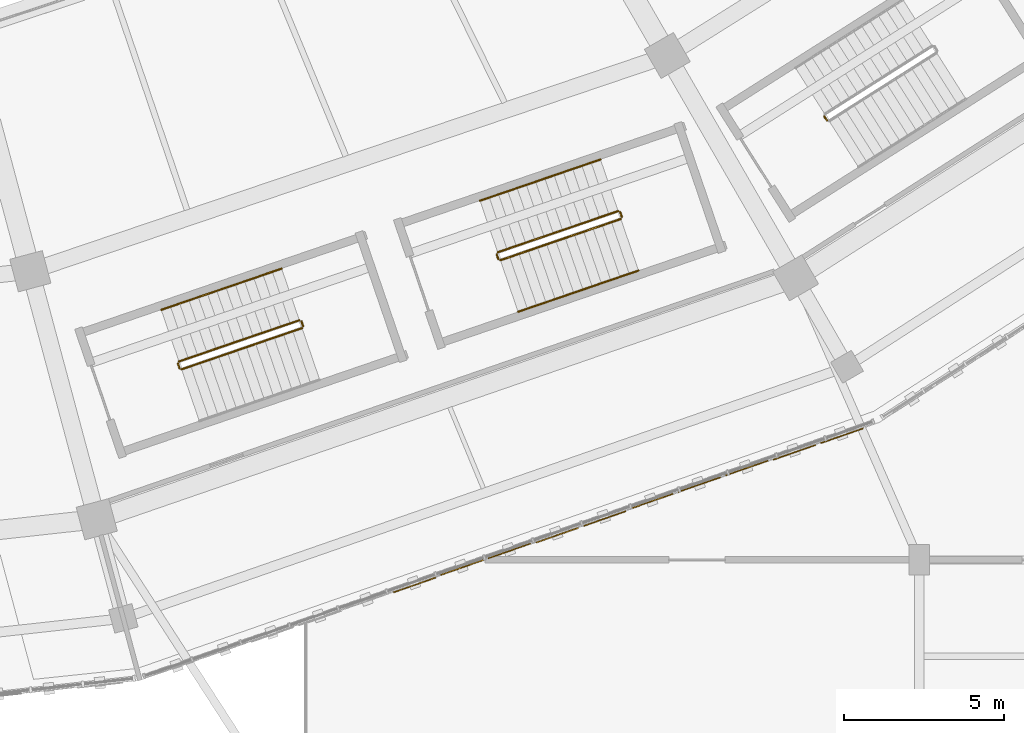
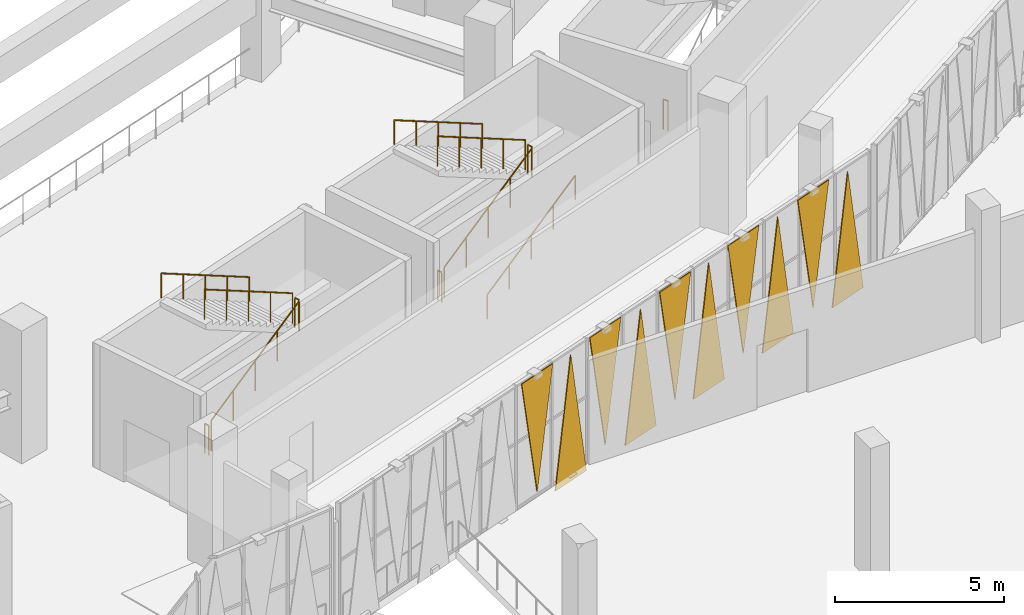
# One storey, part 143 of 179: 12 railings, 10 coverings.
"""IFC4 building model written with IfcOpenShell, lengths in metres."""

from ifc_helpers import new_model, si_unit, direction, frame, origin, origin_2d, place, context, subcontext, project, spatial, polyline, circle, outline, extrude, material, layer, layer_set, type_object, element, save


model = new_model("IFC4")

# Units and contexts
model_context = context("Model", 3, precision=1e-05, world=origin(), true_north=direction((0.0, 1.0)))
body_context = subcontext(model_context, "Body", "Model", "MODEL_VIEW")
ifc_project = project(units=[si_unit("LENGTHUNIT", "METRE"), si_unit("AREAUNIT", "SQUARE_METRE"), si_unit("VOLUMEUNIT", "CUBIC_METRE"), si_unit("PLANEANGLEUNIT", "RADIAN"), si_unit("MASSUNIT", "GRAM", prefix="KILO")], contexts=[model_context])

# Site, building, storey
site_placement = place(None, origin())
site = spatial("IfcSite", under=ifc_project, at=site_placement, CompositionType="ELEMENT")
building_placement = place(site_placement, origin())
building = spatial("IfcBuilding", under=site, at=building_placement, Name="Zevraka Park Crest Stadium", CompositionType="ELEMENT")
storey_placement = place(building_placement, frame((0.0, 0.0, 10.199951171875)))
storey = spatial("IfcBuildingStorey", under=building, at=storey_placement, Name="L02", CompositionType="ELEMENT", Elevation=10.199951171875)

# Coverings
ifc_material_1 = material(Name="Architectural golden-bronze perforated aluminium", Category="aluminium")
ifc_layer = layer(ifc_material_1, 0.034912109375)
ifc_layer_set = layer_set([ifc_layer], Name="Architectural golden-bronze perforated aluminium")
covering_type = type_object("IfcCoveringType", Name="CLD01", PredefinedType="CLADDING", material=ifc_layer_set)
covering_1_placement = place(storey_placement, frame((145.93994140625, 17.462890625, 4.47998046875), z_axis=(-0.329785968145, 0.944055726705, 9.449996e-06), x_axis=(-0.944055726748, -0.32978596816, 0.0)))
element("IfcCovering", 1, at=covering_1_placement, inside=storey, type_object=covering_type, Name="Triangular Golden-Bronze Perforated Cladding L02-19-6", PredefinedType="CLADDING", context=body_context, shape_type="SweptSolid", body=[
    extrude(outline(polyline([(0.0, 0.0), (1.4065704192587192, -8.470329472543003e-22), (0.7034004508069411, -4.260009765815215), (0.0, 0.0)])), origin(), (0.0, 0.0, -1.0), 0.034912109375),
])
covering_2_placement = place(storey_placement, frame((146.091064453125, 17.51611328125, -0.239990234375), z_axis=(0.329166977201, -0.944271724154, 0.000109922205), x_axis=(0.944271729859, 0.32916697919, 0.0)))
element("IfcCovering", 2, at=covering_2_placement, inside=storey, type_object=covering_type, Name="Triangular Golden-Bronze Perforated Cladding L02-19-7", PredefinedType="CLADDING", context=body_context, shape_type="SweptSolid", body=[
    extrude(outline(polyline([(0.0, 0.0), (1.4062486648553232, -6.776263578034403e-21), (0.7031697909465703, 4.560058621299347), (0.0, 0.0)])), origin(), (0.0, 0.0, -1.0), 0.034912109375),
])
covering_3_placement = place(storey_placement, frame((148.89697265625, 18.49609375, 4.47998046875), z_axis=(0.330157014789, -0.943926025975, 5.5430027e-05), x_axis=(-0.943926027425, -0.330157015296, 0.0)))
element("IfcCovering", 3, at=covering_3_placement, inside=storey, type_object=covering_type, Name="Triangular Golden-Bronze Perforated Cladding L02-19-8", PredefinedType="CLADDING", context=body_context, shape_type="SweptSolid", body=[
    extrude(outline(polyline([(0.0, 0.0), (1.405729112581542, 0.0), (0.7025591826253683, 4.260009772169415), (0.0, 0.0)])), origin(), (0.0, 0.0, -1.0), 0.034912109375),
])
covering_4_placement = place(storey_placement, frame((149.048095703125, 18.549072265625, -0.239990234375), z_axis=(-0.329166977788, 0.944271725837, 9.2298959e-05), x_axis=(0.944271729859, 0.32916697919, 0.0)))
element("IfcCovering", 4, at=covering_4_placement, inside=storey, type_object=covering_type, Name="Triangular Golden-Bronze Perforated Cladding L02-19-9", PredefinedType="CLADDING", context=body_context, shape_type="SweptSolid", body=[
    extrude(outline(polyline([(0.0, 0.0), (1.4062486648553232, 0.0), (0.7028483388184553, -4.560058613173793), (0.0, 0.0)])), origin(), (0.0, 0.0, -1.0), 0.034912109375),
])
covering_5_placement = place(storey_placement, frame((151.85498046875, 19.529052734375, 4.47998046875), z_axis=(-0.329940648786, 0.944001677406, 3.6504737e-05), x_axis=(-0.944001678035, -0.329940649006, 0.0)))
element("IfcCovering", 5, at=covering_5_placement, inside=storey, type_object=covering_type, Name="Triangular Golden-Bronze Perforated Cladding L02-19-10", PredefinedType="CLADDING", context=body_context, shape_type="SweptSolid", body=[
    extrude(outline(polyline([(0.0, 0.0), (1.4066509522935817, -3.3881317890172014e-21), (0.7034004347684985, -4.260009768463436), (0.0, 0.0)])), origin(), (0.0, 0.0, -1.0), 0.034912109375),
])
covering_6_placement = place(storey_placement, frame((152.006103515625, 19.5810546875, -0.239990234375), z_axis=(0.329785968147, -0.944055726711, 8.828193e-06), x_axis=(0.944055726748, 0.32978596816, 0.0)))
element("IfcCovering", 6, at=covering_6_placement, inside=storey, type_object=covering_type, Name="Triangular Golden-Bronze Perforated Cladding L02-19-11", PredefinedType="CLADDING", context=body_context, shape_type="SweptSolid", body=[
    extrude(outline(polyline([(0.0, 0.0), (1.4065704192587192, 0.0), (0.7031699684517781, 4.560058593927699), (0.0, 0.0)])), origin(), (0.0, 0.0, -1.0), 0.034912109375),
])
covering_7_placement = place(storey_placement, frame((154.81298828125, 20.56103515625, 4.47998046875), z_axis=(0.32932176541, -0.944217755437, 7.1732807e-05), x_axis=(-0.944217757866, -0.329321766257, 0.0)))
element("IfcCovering", 7, at=covering_7_placement, inside=storey, type_object=covering_type, Name="Triangular Golden-Bronze Perforated Cladding L02-19-12", PredefinedType="CLADDING", context=body_context, shape_type="SweptSolid", body=[
    extrude(outline(polyline([(0.0, 0.0), (1.4063290467827976, 0.0), (0.7034003855809297, 4.260009776585144), (0.0, 0.0)])), origin(), (0.0, 0.0, -1.0), 0.034912109375),
])
covering_8_placement = place(storey_placement, frame((154.964111328125, 20.614013671875, -0.239990234375), z_axis=(0.329785968147, -0.944055726711, 8.828193e-06), x_axis=(0.944055726748, 0.32978596816, 0.0)))
element("IfcCovering", 8, at=covering_8_placement, inside=storey, type_object=covering_type, Name="Triangular Golden-Bronze Perforated Cladding L02-19-13", PredefinedType="CLADDING", context=body_context, shape_type="SweptSolid", body=[
    extrude(outline(polyline([(0.0, 0.0), (1.4065704192587192, 0.0), (0.7031699684517781, 4.560058593927699), (0.0, 0.0)])), origin(), (0.0, 0.0, -1.0), 0.034912109375),
])
covering_9_placement = place(storey_placement, frame((157.77099609375, 21.593994140625, 4.47998046875), z_axis=(-0.329940648786, 0.944001677406, 3.6504737e-05), x_axis=(-0.944001678035, -0.329940649006, 0.0)))
element("IfcCovering", 9, at=covering_9_placement, inside=storey, type_object=covering_type, Name="Triangular Golden-Bronze Perforated Cladding L02-19-14", PredefinedType="CLADDING", context=body_context, shape_type="SweptSolid", body=[
    extrude(outline(polyline([(0.0, 0.0), (1.4066509522935817, -3.3881317890172014e-21), (0.7034004347684985, -4.260009768463436), (0.0, 0.0)])), origin(), (0.0, 0.0, -1.0), 0.034912109375),
])
covering_10_placement = place(storey_placement, frame((157.922119140625, 21.64697265625, -0.239990234375), z_axis=(-0.329321763981, 0.944217751341, 0.000117565237), x_axis=(0.944217757866, 0.329321766257, 0.0)))
element("IfcCovering", 10, at=covering_10_placement, inside=storey, type_object=covering_type, Name="Triangular Golden-Bronze Perforated Cladding L02-19-15", PredefinedType="CLADDING", context=body_context, shape_type="SweptSolid", body=[
    extrude(outline(polyline([(0.0, 0.0), (1.4063290467827976, -6.776263578034403e-21), (0.7028482603800279, -4.560058625263619), (0.0, 0.0)])), origin(), (0.0, 0.0, -1.0), 0.034912109375),
])

# Railings
ifc_material_2 = material(Name="Powder-coated tubular steel stairwell guard", Category="steel")
railing_type_1 = type_object("IfcRailingType", Name="GR03", PredefinedType="GUARDRAIL", material=ifc_material_2)
railing_1_placement = place(storey_placement, frame((138.01611328125, 23.9365234375, 0.17138671875)))
element("IfcRailing", 11, at=railing_1_placement, inside=storey, type_object=railing_type_1, Name="L02 ST20 stair guard 1", PredefinedType="GUARDRAIL", context=body_context, shape_type="SweptSolid", body=[
    extrude(circle(Radius=0.02392578125, at=origin_2d()), frame((0.0, 0.0, 1.076171875), z_axis=(0.824705104737, 0.282433990311, 0.489992378857), x_axis=(-0.32399372979, 0.946059228091, 0.0)), (0.0, 0.0, 1.0), 4.548583984375),
    extrude(circle(Radius=0.02099609375, at=origin_2d()), origin(), (0.0, 0.0, 1.0), 1.052001953125),
    extrude(circle(Radius=0.02099609375, at=origin_2d()), frame((0.937744140625, 0.3212890625, 0.55712890625)), (0.0, 0.0, 1.0), 1.052001953125),
    extrude(circle(Radius=0.02099609375, at=origin_2d()), frame((1.87548828125, 0.642333984375, 1.1142578125)), (0.0, 0.0, 1.0), 1.052001953125),
    extrude(circle(Radius=0.02099609375, at=origin_2d()), frame((2.8134765625, 0.96337890625, 1.671630859375)), (0.0, 0.0, 1.0), 1.052001953125),
    extrude(circle(Radius=0.02099609375, at=origin_2d()), frame((3.751220703125, 1.28466796875, 2.228759765625)), (0.0, 0.0, 1.0), 1.052001953125),
])
railing_2_placement = place(storey_placement, frame((141.798583984375, 25.28466796875, 2.400146484375)))
element("IfcRailing", 12, at=railing_2_placement, inside=storey, type_object=railing_type_1, Name="L02 ST20 stair guard 2", PredefinedType="GUARDRAIL", context=body_context, shape_type="SweptSolid", body=[
    extrude(circle(Radius=0.02392578125, at=origin_2d()), frame((0.0, 0.0, 1.076171875), z_axis=(-0.324909238665, 0.945745201748, 0.0), x_axis=(-0.945745201748, -0.324909238665, 0.0)), (0.0, 0.0, 1.0), 0.16015625),
    extrude(circle(Radius=0.02099609375, at=origin_2d()), origin(), (0.0, 0.0, 1.0), 1.052001953125),
    extrude(circle(Radius=0.02099609375, at=origin_2d()), frame((-0.052001953125, 0.1513671875, 0.0)), (0.0, 0.0, 1.0), 1.052001953125),
])
railing_3_placement = place(storey_placement, frame((141.68310546875, 25.467041015625, 2.571533203125)))
element("IfcRailing", 13, at=railing_3_placement, inside=storey, type_object=railing_type_1, Name="L02 ST20 stair guard 3", PredefinedType="GUARDRAIL", context=body_context, shape_type="SweptSolid", body=[
    extrude(circle(Radius=0.02392578125, at=origin_2d()), frame((0.0, 0.0, 1.076171875), z_axis=(-0.824739296281, -0.282392023283, 0.489959017016), x_axis=(0.323938619155, -0.946078099852, 0.0)), (0.0, 0.0, 1.0), 4.54833984375),
    extrude(circle(Radius=0.02099609375, at=origin_2d()), origin(), (0.0, 0.0, 1.0), 1.052001953125),
    extrude(circle(Radius=0.02099609375, at=origin_2d()), frame((-0.937744140625, -0.321044921875, 0.55712890625)), (0.0, 0.0, 1.0), 1.052001953125),
    extrude(circle(Radius=0.02099609375, at=origin_2d()), frame((-1.87548828125, -0.64208984375, 1.1142578125)), (0.0, 0.0, 1.0), 1.052001953125),
    extrude(circle(Radius=0.02099609375, at=origin_2d()), frame((-2.8134765625, -0.96337890625, 1.67138671875)), (0.0, 0.0, 1.0), 1.052001953125),
    extrude(circle(Radius=0.02099609375, at=origin_2d()), frame((-3.751220703125, -1.284423828125, 2.228515625)), (0.0, 0.0, 1.0), 1.052001953125),
])
railing_4_placement = place(storey_placement, frame((137.95263671875, 23.9677734375, 0.0)))
element("IfcRailing", 14, at=railing_4_placement, inside=storey, type_object=railing_type_1, Name="L02 ST20 stair guard 4", PredefinedType="GUARDRAIL", context=body_context, shape_type="SweptSolid", body=[
    extrude(circle(Radius=0.02392578125, at=origin_2d()), frame((0.0, 0.0, 1.076171875), z_axis=(-0.32354385955, 0.946213174156, 0.0), x_axis=(-0.946213174156, -0.32354385955, 0.0)), (0.0, 0.0, 1.0), 0.159912109375),
    extrude(circle(Radius=0.02099609375, at=origin_2d()), origin(), (0.0, 0.0, 1.0), 1.052001953125),
    extrude(circle(Radius=0.02099609375, at=origin_2d()), frame((-0.0517578125, 0.1513671875, 0.0)), (0.0, 0.0, 1.0), 1.052001953125),
])
railing_5_placement = place(storey_placement, frame((158.12548828125, 31.6904296875, 0.0)))
element("IfcRailing", 15, at=railing_5_placement, inside=storey, type_object=railing_type_1, Name="L02 ST21 stair guard 4", PredefinedType="GUARDRAIL", context=body_context, shape_type="SweptSolid", body=[
    extrude(circle(Radius=0.02392578125, at=origin_2d()), frame((0.0, 0.0, 1.076171875), z_axis=(-0.535887230789, 0.844289568736, 0.0), x_axis=(-0.844289568736, -0.535887230789, 0.0)), (0.0, 0.0, 1.0), 0.159912109375),
    extrude(circle(Radius=0.02099609375, at=origin_2d()), origin(), (0.0, 0.0, 1.0), 1.052001953125),
    extrude(circle(Radius=0.02099609375, at=origin_2d()), frame((-0.085693359375, 0.135009765625, 0.0)), (0.0, 0.0, 1.0), 1.052001953125),
])
railing_6_placement = place(storey_placement, frame((147.9501953125, 27.337646484375, 0.17138671875)))
element("IfcRailing", 16, at=railing_6_placement, inside=storey, type_object=railing_type_1, Name="L02 ST31 stair guard 1", PredefinedType="GUARDRAIL", context=body_context, shape_type="SweptSolid", body=[
    extrude(circle(Radius=0.02392578125, at=origin_2d()), frame((0.0, 0.0, 1.076171875), z_axis=(0.824717605898, 0.282384596462, 0.489999806329), x_axis=(-0.323938619155, 0.946078099852, 0.0)), (0.0, 0.0, 1.0), 4.548583984375),
    extrude(circle(Radius=0.02099609375, at=origin_2d()), origin(), (0.0, 0.0, 1.0), 1.052001953125),
    extrude(circle(Radius=0.02099609375, at=origin_2d()), frame((0.937744140625, 0.321044921875, 0.55712890625)), (0.0, 0.0, 1.0), 1.052001953125),
    extrude(circle(Radius=0.02099609375, at=origin_2d()), frame((1.87548828125, 0.64208984375, 1.1142578125)), (0.0, 0.0, 1.0), 1.052001953125),
    extrude(circle(Radius=0.02099609375, at=origin_2d()), frame((2.8134765625, 0.96337890625, 1.671630859375)), (0.0, 0.0, 1.0), 1.052001953125),
    extrude(circle(Radius=0.02099609375, at=origin_2d()), frame((3.751220703125, 1.284423828125, 2.228759765625)), (0.0, 0.0, 1.0), 1.052001953125),
])
railing_7_placement = place(storey_placement, frame((151.732421875, 28.685546875, 2.400146484375)))
element("IfcRailing", 17, at=railing_7_placement, inside=storey, type_object=railing_type_1, Name="L02 ST31 stair guard 2", PredefinedType="GUARDRAIL", context=body_context, shape_type="SweptSolid", body=[
    extrude(circle(Radius=0.02392578125, at=origin_2d()), frame((0.0, 0.0, 1.076171875), z_axis=(-0.32354385955, 0.946213174156, 0.0), x_axis=(-0.946213174156, -0.32354385955, 0.0)), (0.0, 0.0, 1.0), 0.159912109375),
    extrude(circle(Radius=0.02099609375, at=origin_2d()), origin(), (0.0, 0.0, 1.0), 1.052001953125),
    extrude(circle(Radius=0.02099609375, at=origin_2d()), frame((-0.0517578125, 0.1513671875, 0.0)), (0.0, 0.0, 1.0), 1.052001953125),
])
railing_8_placement = place(storey_placement, frame((151.6171875, 28.8681640625, 2.571533203125)))
element("IfcRailing", 18, at=railing_8_placement, inside=storey, type_object=railing_type_1, Name="L02 ST31 stair guard 3", PredefinedType="GUARDRAIL", context=body_context, shape_type="SweptSolid", body=[
    extrude(circle(Radius=0.02392578125, at=origin_2d()), frame((0.0, 0.0, 1.076171875), z_axis=(-0.824726794133, -0.282441418206, 0.489951589772), x_axis=(0.32399372979, -0.946059228091, 0.0)), (0.0, 0.0, 1.0), 4.54833984375),
    extrude(circle(Radius=0.02099609375, at=origin_2d()), origin(), (0.0, 0.0, 1.0), 1.052001953125),
    extrude(circle(Radius=0.02099609375, at=origin_2d()), frame((-0.937744140625, -0.3212890625, 0.55712890625)), (0.0, 0.0, 1.0), 1.052001953125),
    extrude(circle(Radius=0.02099609375, at=origin_2d()), frame((-1.87548828125, -0.642333984375, 1.1142578125)), (0.0, 0.0, 1.0), 1.052001953125),
    extrude(circle(Radius=0.02099609375, at=origin_2d()), frame((-2.8134765625, -0.96337890625, 1.67138671875)), (0.0, 0.0, 1.0), 1.052001953125),
    extrude(circle(Radius=0.02099609375, at=origin_2d()), frame((-3.751220703125, -1.28466796875, 2.228515625)), (0.0, 0.0, 1.0), 1.052001953125),
])
railing_9_placement = place(storey_placement, frame((147.88671875, 27.36865234375, 0.0)))
element("IfcRailing", 19, at=railing_9_placement, inside=storey, type_object=railing_type_1, Name="L02 ST31 stair guard 4", PredefinedType="GUARDRAIL", context=body_context, shape_type="SweptSolid", body=[
    extrude(circle(Radius=0.02392578125, at=origin_2d()), frame((0.0, 0.0, 1.076171875), z_axis=(-0.32354385955, 0.946213174156, 0.0), x_axis=(-0.946213174156, -0.32354385955, 0.0)), (0.0, 0.0, 1.0), 0.159912109375),
    extrude(circle(Radius=0.02099609375, at=origin_2d()), origin(), (0.0, 0.0, 1.0), 1.052001953125),
    extrude(circle(Radius=0.02099609375, at=origin_2d()), frame((-0.0517578125, 0.1513671875, 0.0)), (0.0, 0.0, 1.0), 1.052001953125),
])
ifc_material_3 = material(Name="Brushed stainless steel continuous handrail", Category="steel")
railing_type_2 = type_object("IfcRailingType", Name="HR01", PredefinedType="HANDRAIL", material=ifc_material_3)
railing_10_placement = place(storey_placement, frame((141.13232421875, 27.075439453125, 2.571533203125)))
element("IfcRailing", 20, at=railing_10_placement, inside=storey, type_object=railing_type_2, Name="L02 ST20 stair handrail 2", PredefinedType="HANDRAIL", context=body_context, shape_type="SweptSolid", body=[
    extrude(circle(Radius=0.02392578125, at=origin_2d()), frame((0.0, 0.0, 0.8759765625), z_axis=(-0.824726794133, -0.282441418206, 0.489951589772), x_axis=(0.32399372979, -0.946059228091, 0.0)), (0.0, 0.0, 1.0), 4.54833984375),
    extrude(circle(Radius=0.02099609375, at=origin_2d()), origin(), (0.0, 0.0, 1.0), 0.851806640625),
    extrude(circle(Radius=0.02099609375, at=origin_2d()), frame((-0.937744140625, -0.3212890625, 0.55712890625)), (0.0, 0.0, 1.0), 0.851806640625),
    extrude(circle(Radius=0.02099609375, at=origin_2d()), frame((-1.87548828125, -0.642333984375, 1.1142578125)), (0.0, 0.0, 1.0), 0.851806640625),
    extrude(circle(Radius=0.02099609375, at=origin_2d()), frame((-2.8134765625, -0.96337890625, 1.67138671875)), (0.0, 0.0, 1.0), 0.851806640625),
    extrude(circle(Radius=0.02099609375, at=origin_2d()), frame((-3.751220703125, -1.28466796875, 2.228515625)), (0.0, 0.0, 1.0), 0.851806640625),
])
railing_11_placement = place(storey_placement, frame((148.5009765625, 25.729248046875, 0.17138671875)))
element("IfcRailing", 21, at=railing_11_placement, inside=storey, type_object=railing_type_2, Name="L02 ST31 stair handrail 1", PredefinedType="HANDRAIL", context=body_context, shape_type="SweptSolid", body=[
    extrude(circle(Radius=0.02392578125, at=origin_2d()), frame((0.0, 0.0, 0.8759765625), z_axis=(0.824717605898, 0.282384596462, 0.489999806329), x_axis=(-0.323938619155, 0.946078099852, 0.0)), (0.0, 0.0, 1.0), 4.548583984375),
    extrude(circle(Radius=0.02099609375, at=origin_2d()), origin(), (0.0, 0.0, 1.0), 0.851806640625),
    extrude(circle(Radius=0.02099609375, at=origin_2d()), frame((0.937744140625, 0.321044921875, 0.55712890625)), (0.0, 0.0, 1.0), 0.851806640625),
    extrude(circle(Radius=0.02099609375, at=origin_2d()), frame((1.87548828125, 0.64208984375, 1.1142578125)), (0.0, 0.0, 1.0), 0.851806640625),
    extrude(circle(Radius=0.02099609375, at=origin_2d()), frame((2.8134765625, 0.96337890625, 1.671630859375)), (0.0, 0.0, 1.0), 0.851806640625),
    extrude(circle(Radius=0.02099609375, at=origin_2d()), frame((3.751220703125, 1.284423828125, 2.228759765625)), (0.0, 0.0, 1.0), 0.851806640625),
])
railing_12_placement = place(storey_placement, frame((151.06640625, 30.476318359375, 2.571533203125)))
element("IfcRailing", 22, at=railing_12_placement, inside=storey, type_object=railing_type_2, Name="L02 ST31 stair handrail 2", PredefinedType="HANDRAIL", context=body_context, shape_type="SweptSolid", body=[
    extrude(circle(Radius=0.02392578125, at=origin_2d()), frame((0.0, 0.0, 0.8759765625), z_axis=(-0.824739296281, -0.282392023283, 0.489959017016), x_axis=(0.323938619155, -0.946078099852, 0.0)), (0.0, 0.0, 1.0), 4.54833984375),
    extrude(circle(Radius=0.02099609375, at=origin_2d()), origin(), (0.0, 0.0, 1.0), 0.851806640625),
    extrude(circle(Radius=0.02099609375, at=origin_2d()), frame((-0.937744140625, -0.321044921875, 0.55712890625)), (0.0, 0.0, 1.0), 0.851806640625),
    extrude(circle(Radius=0.02099609375, at=origin_2d()), frame((-1.87548828125, -0.64208984375, 1.1142578125)), (0.0, 0.0, 1.0), 0.851806640625),
    extrude(circle(Radius=0.02099609375, at=origin_2d()), frame((-2.8134765625, -0.96337890625, 1.67138671875)), (0.0, 0.0, 1.0), 0.851806640625),
    extrude(circle(Radius=0.02099609375, at=origin_2d()), frame((-3.751220703125, -1.284423828125, 2.228515625)), (0.0, 0.0, 1.0), 0.851806640625),
])

save(model, "model.ifc")
